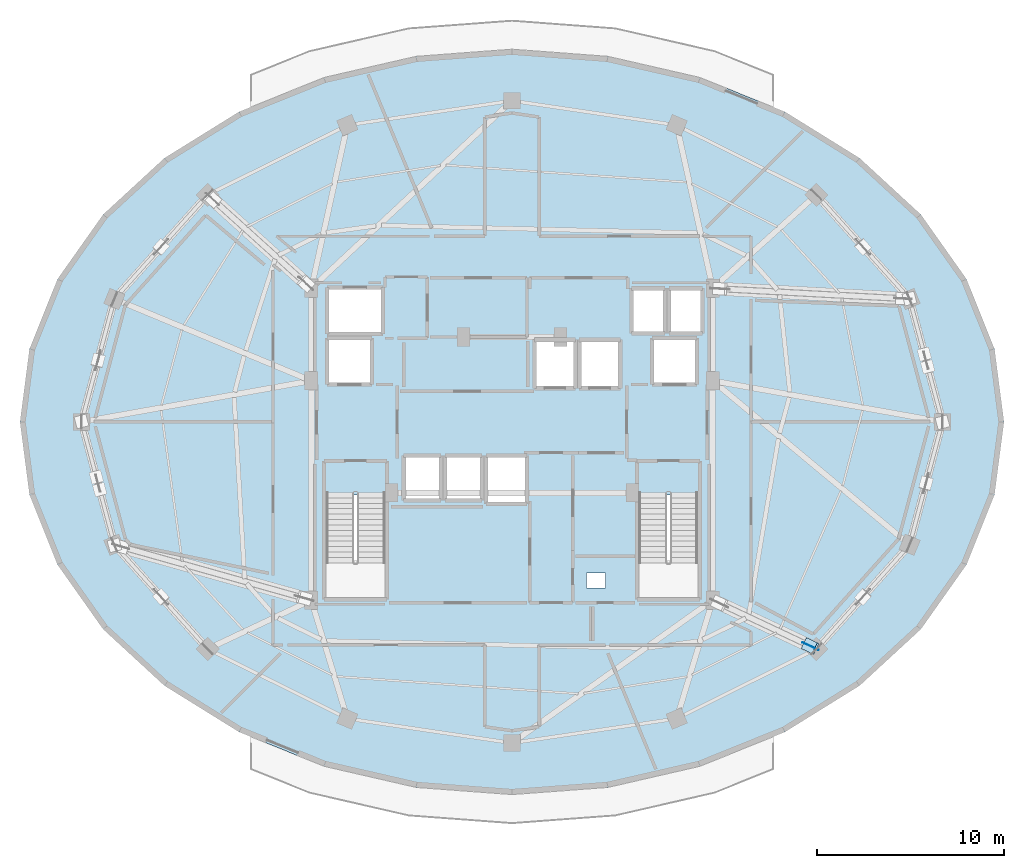
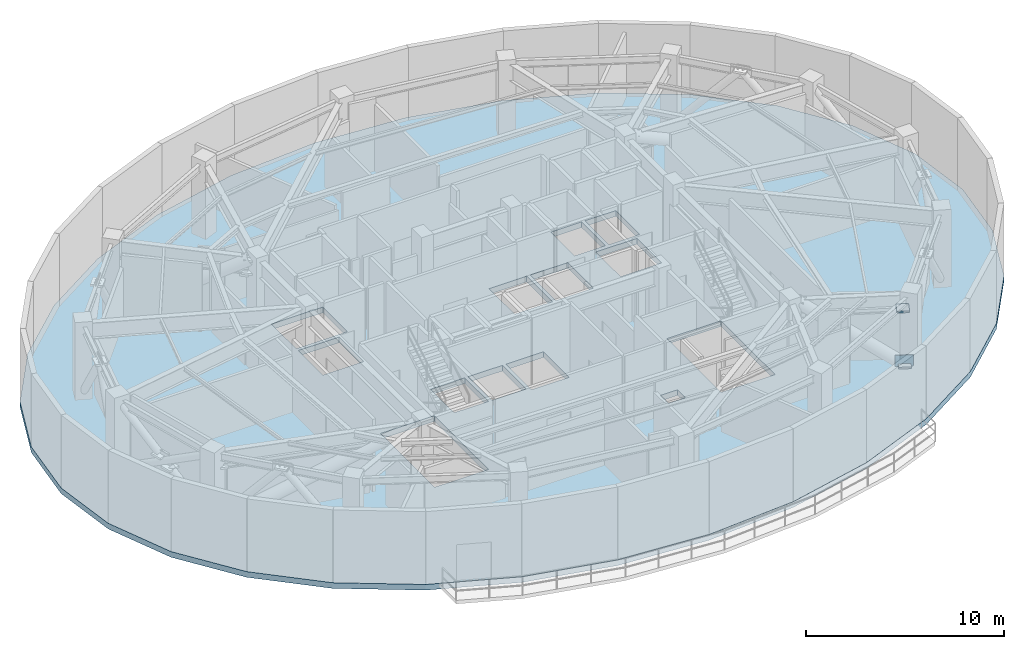
# One storey, part 4 of 10: 3 plates, 1 slab.
"""IFC4 building model written with IfcOpenShell, lengths in metres."""

from ifc_helpers import new_model, si_unit, direction, frame, origin, origin_2d, place, context, subcontext, project, spatial, polyline, rectangle, outline, extrude, material, layer, layer_set, type_object, element, save


model = new_model("IFC4")

# Units and contexts
model_context = context("Model", 3, precision=1e-05, world=origin(), true_north=direction((0.0, 1.0)))
body_context = subcontext(model_context, "Body", "Model", "MODEL_VIEW")
ifc_project = project(units=[si_unit("LENGTHUNIT", "METRE"), si_unit("AREAUNIT", "SQUARE_METRE"), si_unit("VOLUMEUNIT", "CUBIC_METRE"), si_unit("PLANEANGLEUNIT", "RADIAN"), si_unit("MASSUNIT", "GRAM", prefix="KILO")], contexts=[model_context])

# Site, building, storey
site_placement = place(None, origin())
site = spatial("IfcSite", under=ifc_project, at=site_placement, CompositionType="ELEMENT")
building_placement = place(site_placement, origin())
building = spatial("IfcBuilding", under=site, at=building_placement, Name="Vorneva Point Tower", CompositionType="ELEMENT")
storey_placement = place(building_placement, frame((0.0, 0.0, 224.949951171875)))
storey = spatial("IfcBuildingStorey", under=building, at=storey_placement, Name="L61", CompositionType="ELEMENT", Elevation=224.949951171875)

# Plates
ifc_material_1 = material(Name="Steel S355", Category="steel")
ifc_layer_1 = layer(ifc_material_1, 0.028076171875)
ifc_layer_set_1 = layer_set([ifc_layer_1], Name="Steel S355")
plate_type_1 = type_object("IfcPlateType", Name="PLT-CAP-INT", PredefinedType="USERDEFINED", material=ifc_layer_set_1)
for number, where, z_axis, x_axis, name in (
    (1, (54.00341796875, 13.976806640625, 0.04541015625), (0.0, 0.0, 1.0), (0.904760160049, -0.425921416213, 0.0), "L61 Core Outrigger Diagonal 15A end closure plate 2"),
    (2, (53.918701171875, 14.0166015625, 3.51416015625), (0.0, 0.0, 1.0), (0.904760160049, -0.425921416213, 0.0), "L61 Core Outrigger Collector Strut 15B end closure plate 2"),
):
    element("IfcPlate", number, at=place(storey_placement, frame(where, z_axis=z_axis, x_axis=x_axis)), inside=storey, type_object=plate_type_1, Name=name, ObjectType="BASE PLATE", PredefinedType="USERDEFINED", context=body_context, shape_type="SweptSolid", body=[
        extrude(rectangle(XDim=0.64990234375, YDim=0.64990234375, at=origin_2d()), origin(), (0.0, 0.0, 1.0), 0.112060546875),
    ])
ifc_material_2 = material(Name="Steel S460", Category="steel")
ifc_layer_2 = layer(ifc_material_2, 0.031982421875)
ifc_layer_set_2 = layer_set([ifc_layer_2], Name="Steel S460")
plate_type_2 = type_object("IfcPlateType", Name="PLT-GUS-32", PredefinedType="USERDEFINED", material=ifc_layer_set_2)
plate_placement = place(storey_placement, frame((53.982177734375, 13.98681640625, -0.1201171875), z_axis=(0.0, 0.0, 1.0), x_axis=(0.90475272618, -0.425937207192, 0.0)))
element("IfcPlate", 3, at=plate_placement, inside=storey, type_object=plate_type_2, Name="L61 Outrigger Perimeter Column Gusset 15", ObjectType="GUSSET PLATE", PredefinedType="USERDEFINED", context=body_context, shape_type="SweptSolid", body=[
    extrude(rectangle(XDim=0.949951171875, YDim=0.031982421875, at=origin_2d()), origin(), (0.0, 0.0, 1.0), 0.800048828125),
])

# Slab
ifc_material_3 = material(Name="Concrete B50 (C40/50)", Category="concrete")
ifc_layer_3 = layer(ifc_material_3, 0.35009765625)
ifc_layer_set_3 = layer_set([ifc_layer_3], Name="Concrete B50 (C40/50)")
slab_type = type_object("IfcSlabType", Name="SLB-B01-350", PredefinedType="FLOOR", material=ifc_layer_set_3)
slab_placement = place(storey_placement, frame((0.0, 0.0, -0.349853515625)))
element("IfcSlab", 4, at=slab_placement, inside=storey, type_object=slab_type, Name="L61 Structural Floor Plate", PredefinedType="FLOOR", context=body_context, shape_type="SweptSolid", body=[
    extrude(outline(polyline([(64.35009765625, 26.0), (63.84375, 29.89404296875), (62.34423828125, 33.638427734375), (59.9091796875, 37.089111328125), (56.63232421875, 40.114013671875), (52.639404296875, 42.59619140625), (48.083740234375, 44.440673828125), (43.140625, 45.576416015625), (38.0, 45.9599609375), (32.859375, 45.576416015625), (27.916259765625, 44.440673828125), (23.360595703125, 42.59619140625), (19.36767578125, 40.114013671875), (16.0908203125, 37.089111328125), (13.65576171875, 33.638427734375), (12.15625, 29.89404296875), (11.64990234375, 26.0), (12.15625, 22.10595703125), (13.65576171875, 18.361572265625), (16.0908203125, 14.910888671875), (19.36767578125, 11.885986328125), (23.360595703125, 9.40380859375), (27.916259765625, 7.559326171875), (32.859375, 6.423583984375), (38.0, 6.0400390625), (43.140625, 6.423583984375), (48.083740234375, 7.559326171875), (52.639404296875, 9.40380859375), (56.63232421875, 11.885986328125), (59.9091796875, 14.910888671875), (62.34423828125, 18.361572265625), (63.84375, 22.10595703125), (64.35009765625, 26.0)]), holes=[polyline([(32.199951171875, 21.800048828125), (34.199951171875, 21.800048828125), (34.199951171875, 24.199951171875), (32.199951171875, 24.199951171875), (32.199951171875, 21.800048828125)]), polyline([(34.39990234375, 21.800048828125), (36.39990234375, 21.800048828125), (36.39990234375, 24.199951171875), (34.39990234375, 24.199951171875), (34.39990234375, 21.800048828125)]), polyline([(36.60009765625, 21.60009765625), (38.800048828125, 21.60009765625), (38.800048828125, 24.199951171875), (36.60009765625, 24.199951171875), (36.60009765625, 21.60009765625)]), polyline([(39.199951171875, 27.800048828125), (41.39990234375, 27.800048828125), (41.39990234375, 30.39990234375), (39.199951171875, 30.39990234375), (39.199951171875, 27.800048828125)]), polyline([(41.60009765625, 27.800048828125), (43.800048828125, 27.800048828125), (43.800048828125, 30.39990234375), (41.60009765625, 30.39990234375), (41.60009765625, 27.800048828125)]), polyline([(44.39990234375, 30.739990234375), (46.199951171875, 30.739990234375), (46.199951171875, 33.159912109375), (44.39990234375, 33.159912109375), (44.39990234375, 30.739990234375)]), polyline([(46.39990234375, 30.739990234375), (48.199951171875, 30.739990234375), (48.199951171875, 33.159912109375), (46.39990234375, 33.159912109375), (46.39990234375, 30.739990234375)]), polyline([(28.10009765625, 28.0), (30.5, 28.0), (30.5, 30.5), (28.10009765625, 30.5), (28.10009765625, 28.0)]), polyline([(45.5, 28.0), (47.89990234375, 28.0), (47.89990234375, 30.5), (45.5, 30.5), (45.5, 28.0)]), polyline([(28.10009765625, 30.699951171875), (31.10009765625, 30.699951171875), (31.10009765625, 33.199951171875), (28.10009765625, 33.199951171875), (28.10009765625, 30.699951171875)]), polyline([(28.050048828125, 16.60009765625), (31.199951171875, 16.60009765625), (31.199951171875, 22.080078125), (28.050048828125, 22.080078125), (28.050048828125, 16.60009765625)]), polyline([(44.800048828125, 16.60009765625), (47.949951171875, 16.60009765625), (47.949951171875, 22.080078125), (44.800048828125, 22.080078125), (44.800048828125, 16.60009765625)]), polyline([(42.0, 17.10009765625), (43.0, 17.10009765625), (43.0, 17.89990234375), (42.0, 17.89990234375), (42.0, 17.10009765625)])]), origin(), (0.0, 0.0, 1.0), 0.349853515625),
])

save(model, "model.ifc")
